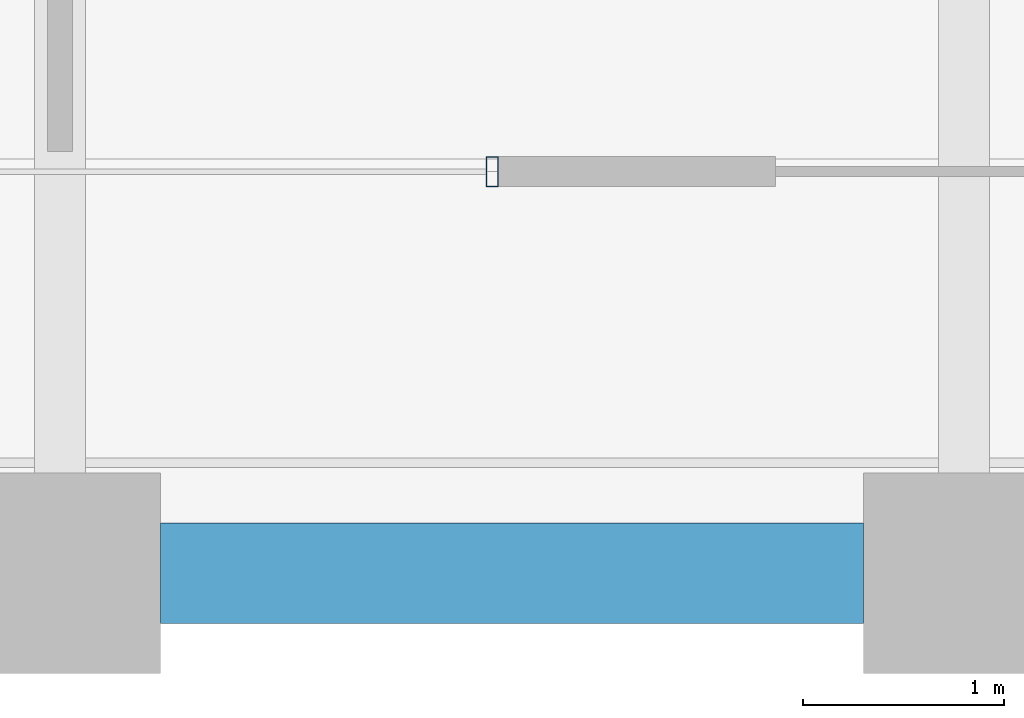
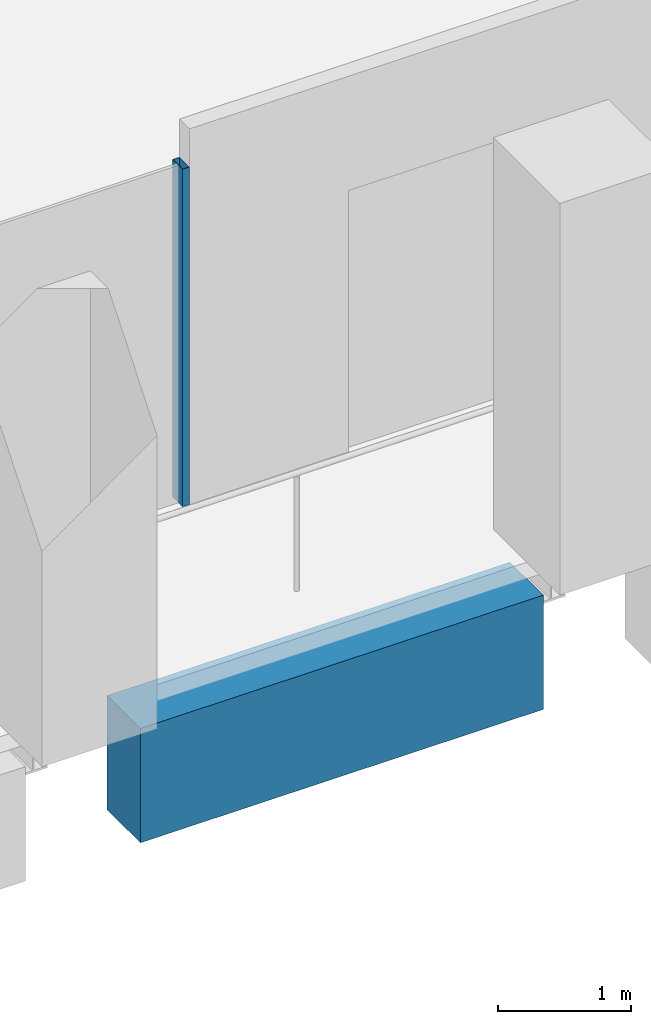
# One storey, part 7 of 46: 1 beam, 1 member, 1 element without a shape of its own.
"""IFC4 building model written with IfcOpenShell, lengths in metres."""

from ifc_helpers import new_model, si_unit, direction, frame, origin, origin_2d, place, context, subcontext, project, spatial, rectangle, hollow_rectangle, extrude, material, material_profile, profile_set, type_object, element, aggregate, save


model = new_model("IFC4")

# Units and contexts
model_context = context("Model", 3, precision=1e-05, world=origin(), true_north=direction((0.0, 1.0)))
body_context = subcontext(model_context, "Body", "Model", "MODEL_VIEW")
ifc_project = project(units=[si_unit("LENGTHUNIT", "METRE"), si_unit("AREAUNIT", "SQUARE_METRE"), si_unit("VOLUMEUNIT", "CUBIC_METRE"), si_unit("PLANEANGLEUNIT", "RADIAN"), si_unit("MASSUNIT", "GRAM", prefix="KILO")], contexts=[model_context])

# Site, building, storey
site_placement = place(None, origin())
site = spatial("IfcSite", under=ifc_project, at=site_placement, CompositionType="ELEMENT")
building_placement = place(site_placement, origin())
building = spatial("IfcBuilding", under=site, at=building_placement, Name="Altepetl Exchange Towers", CompositionType="ELEMENT")
storey_placement = place(building_placement, frame((0.0, 0.0, 102.800048828125)))
storey = spatial("IfcBuildingStorey", under=building, at=storey_placement, Name="L25", CompositionType="ELEMENT", Elevation=102.800048828125)

# Curtain wall, member
ifc_material_1 = material(Name="Aluminium 6063-T6 glazing", Category="aluminium")
curtain_wall_type = type_object("IfcCurtainWallType", Name="Loggia glazing system", PredefinedType="NOTDEFINED", material=ifc_material_1)
curtain_wall_placement = place(storey_placement, origin())
curtain_wall = element("IfcCurtainWall", 1, at=curtain_wall_placement, inside=storey, type_object=curtain_wall_type, Name="CW1 run", PredefinedType="NOTDEFINED")
ifc_material_2 = material(Name="Aluminium 6063-T6", Category="aluminium")
ifc_material_profile_1 = material_profile(ifc_material_2, hollow_rectangle(XDim=0.06005859375, YDim=0.14990234375, WallThickness=0.0029296875, at=origin_2d()), Name="Mullion 60x150 aluminium")
ifc_profile_set_1 = profile_set([ifc_material_profile_1], Name="Aluminium 6063-T6")
member_type = type_object("IfcMemberType", Name="Mullion 60x150 aluminium", PredefinedType="MULLION", material=ifc_profile_set_1)
member_placement = place(storey_placement, frame((47.152099609375, 29.0, 0.0)))
member = element("IfcMember", 2, at=member_placement, type_object=member_type, Name="MU1 mullion", PredefinedType="MULLION", context=body_context, shape_type="SweptSolid", body=[
    extrude(hollow_rectangle(XDim=0.06005859375, YDim=0.14990234375, WallThickness=0.0029296875, at=origin_2d()), origin(), (0.0, 0.0, 1.0), 3.099853515625),
])
aggregate(curtain_wall, [member])

# Beam
ifc_material_3 = material(Name="Concrete C50/60 precast with cantera blanca facing", Category="concrete")
ifc_material_profile_2 = material_profile(ifc_material_3, rectangle(XDim=0.5, YDim=1.050048828125, at=origin_2d()), Name="500 x 1050")
ifc_profile_set_2 = profile_set([ifc_material_profile_2], Name="Concrete C50/60 precast with cantera blanca facing")
beam_type = type_object("IfcBeamType", Name="Spandrel beam 500x1050 cantera blanca", PredefinedType="SPANDREL", material=ifc_profile_set_2)
beam_placement = place(storey_placement, frame((45.5, 27.0, -0.675048828125), z_axis=(1.0, 0.0, 0.0), x_axis=(0.0, 1.0, 0.0)))
element("IfcBeam", 3, at=beam_placement, inside=storey, type_object=beam_type, Name="sp:A:L25:003", PredefinedType="SPANDREL", context=body_context, shape_type="SweptSolid", body=[
    extrude(rectangle(XDim=0.5, YDim=1.050048828125, at=origin_2d()), origin(), (0.0, 0.0, 1.0), 3.5),
])

save(model, "model.ifc")
